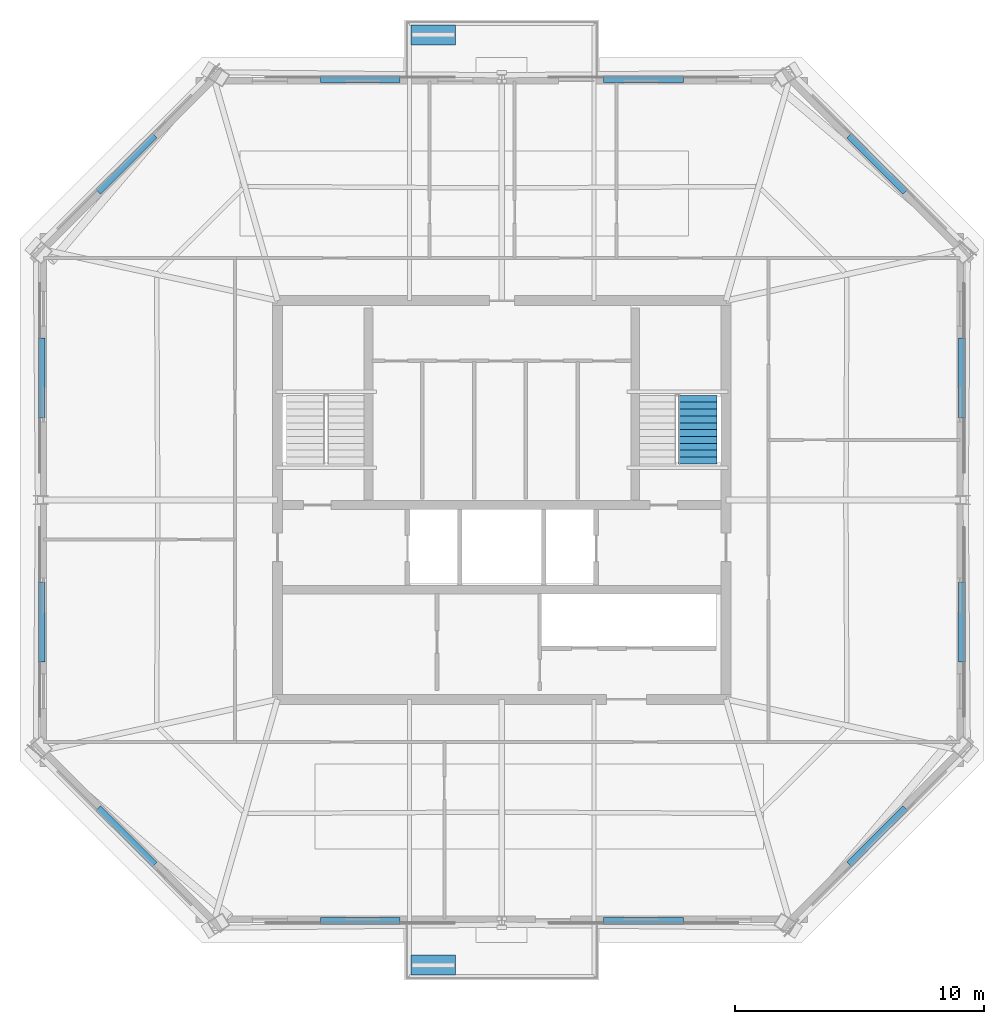
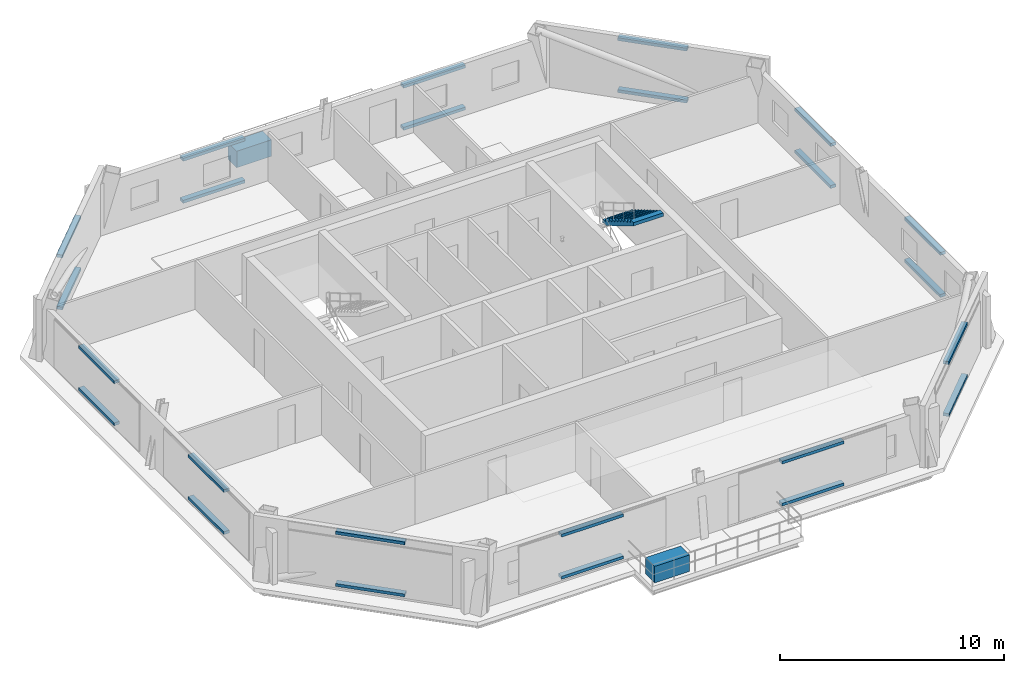
# One storey, part 5 of 7: 26 discrete accessories, 1 stair flight, 1 element without a shape of its own.
"""IFC4 building model written with IfcOpenShell, lengths in metres."""

from ifc_helpers import new_model, si_unit, direction, frame, origin, origin_2d, place, context, subcontext, project, spatial, polyline, rectangle, outline, extrude, material, type_object, element, aggregate, save


model = new_model("IFC4")

# Units and contexts
model_context = context("Model", 3, precision=1e-05, world=origin(), true_north=direction((0.0, 1.0)))
body_context = subcontext(model_context, "Body", "Model", "MODEL_VIEW")
ifc_project = project(units=[si_unit("LENGTHUNIT", "METRE"), si_unit("AREAUNIT", "SQUARE_METRE"), si_unit("VOLUMEUNIT", "CUBIC_METRE"), si_unit("PLANEANGLEUNIT", "RADIAN"), si_unit("MASSUNIT", "GRAM", prefix="KILO")], contexts=[model_context])

# Site, building, storey
site_placement = place(None, origin())
site = spatial("IfcSite", under=ifc_project, at=site_placement, CompositionType="ELEMENT")
building_placement = place(site_placement, origin())
building = spatial("IfcBuilding", under=site, at=building_placement, Name="Caelvoria Tower", CompositionType="ELEMENT")
storey_placement = place(building_placement, frame((0.0, 0.0, 257.39990234375)))
storey = spatial("IfcBuildingStorey", under=building, at=storey_placement, Name="L68", CompositionType="ELEMENT", Elevation=257.39990234375)

# Stair, stair flight
ifc_material_1 = material(Name="Concrete C40/50", Category="concrete")
stair_type = type_object("IfcStairType", Name="Core Smokeproof Dogleg Stair Concrete C40/50", PredefinedType="HALF_TURN_STAIR", material=ifc_material_1)
stair_placement = place(storey_placement, origin())
stair = element("IfcStair", 1, at=stair_placement, inside=storey, type_object=stair_type, Name="ST-02 Smokeproof Exit Stair L68", PredefinedType="HALF_TURN_STAIR")
ifc_material_2 = material(Name="Precast Concrete C40/50", Category="concrete")
stair_flight_type = type_object("IfcStairFlightType", Name="Precast Concrete C40/50 Stair Flight 1480", PredefinedType="STRAIGHT", material=ifc_material_2)
stair_flight_placement = place(storey_placement, frame((53.8701171875, 36.199951171875, 1.800048828125), z_axis=(0.0, 0.0, 1.0), x_axis=(0.0, -1.0, 0.0)))
stair_flight = element("IfcStairFlight", 2, at=stair_flight_placement, type_object=stair_flight_type, Name="ST-02 flight 2", NumberOfRisers=11, NumberOfTreads=10, PredefinedType="STRAIGHT", RiserHeight=0.1636, TreadLength=0.275, context=body_context, shape_type="SweptSolid", body=[
    extrude(outline(polyline([(0.0, 0.0), (0.0, 0.16357421875), (0.27490234375, 0.16357421875), (0.27490234375, 0.3271484375), (0.550048828125, 0.3271484375), (0.550048828125, 0.49072265625), (0.824951171875, 0.49072265625), (0.824951171875, 0.654296875), (1.10009765625, 0.654296875), (1.10009765625, 0.818115234375), (1.375, 0.818115234375), (1.375, 0.981689453125), (1.64990234375, 0.981689453125), (1.64990234375, 1.145263671875), (1.925048828125, 1.145263671875), (1.925048828125, 1.308837890625), (2.199951171875, 1.308837890625), (2.199951171875, 1.472412109375), (2.47509765625, 1.472412109375), (2.47509765625, 1.635986328125), (2.75, 1.635986328125), (2.75, 1.799560546875), (2.75, 1.449951171875), (0.312744140625, 0.0), (0.0, 0.0)])), frame((0.0, 0.77001953125, 0.0), z_axis=(0.0, -1.0, 0.0), x_axis=(1.0, 0.0, 0.0)), (0.0, 0.0, 1.0), 1.5400390625),
])
aggregate(stair, [stair_flight])

# Discrete accessories
ifc_material_3 = material(Name="Anodised Bronze Stainless Bracket", Category="bronze")
discrete_accessory_type_1 = type_object("IfcDiscreteAccessoryType", Name="Solar Screen Outrigger Support Bracket", PredefinedType="BRACKET", material=ifc_material_3)
for number, where, z_axis, x_axis, name in (
    (3, (40.31640625, 15.103515625, 0.240234375), (0.0, 0.0, 1.0), (1.0, 0.0, 0.0), "Solar Screen Bracket L68-E0-00"),
    (4, (40.31640625, 15.103515625, 2.5322265625), (0.0, 0.0, 1.0), (1.0, 0.0, 0.0), "Upper Screen Band Bracket L68-E0-00"),
    (5, (51.68359375, 15.103515625, 0.240234375), (0.0, 0.0, 1.0), (1.0, 0.0, 0.0), "Solar Screen Bracket L68-E0-01"),
    (6, (51.68359375, 15.103515625, 2.5322265625), (0.0, 0.0, 1.0), (1.0, 0.0, 0.0), "Upper Screen Band Bracket L68-E0-01"),
    (7, (61.068603515625, 18.504150390625, 0.240234375), (0.0, 0.0, 1.0), (0.707106781187, 0.707106781187, 0.0), "Solar Screen Bracket L68-E1-00"),
    (8, (61.068603515625, 18.504150390625, 3.0751953125), (0.0, 0.0, 1.0), (0.707106781187, 0.707106781187, 0.0), "Upper Screen Band Bracket L68-E1-00"),
    (9, (64.46923828125, 27.102783203125, 0.240234375), (0.0, 0.0, 1.0), (0.0, 1.0, 0.0), "Solar Screen Bracket L68-E2-00"),
    (10, (64.46923828125, 27.102783203125, 2.5322265625), (0.0, 0.0, 1.0), (0.0, 1.0, 0.0), "Upper Screen Band Bracket L68-E2-00"),
    (11, (64.46923828125, 36.897216796875, 0.240234375), (0.0, 0.0, 1.0), (0.0, 1.0, 0.0), "Solar Screen Bracket L68-E2-01"),
    (12, (64.46923828125, 36.897216796875, 2.5322265625), (0.0, 0.0, 1.0), (0.0, 1.0, 0.0), "Upper Screen Band Bracket L68-E2-01"),
    (13, (61.068603515625, 45.495849609375, 0.240234375), (0.0, 0.0, 1.0), (-0.707106781187, 0.707106781187, 0.0), "Solar Screen Bracket L68-E3-00"),
    (14, (61.068603515625, 45.495849609375, 3.0751953125), (0.0, 0.0, 1.0), (-0.707106781187, 0.707106781187, 0.0), "Upper Screen Band Bracket L68-E3-00"),
    (15, (51.68359375, 48.896484375, 0.240234375), (0.0, 0.0, 1.0), (-1.0, 0.0, 0.0), "Solar Screen Bracket L68-E4-00"),
    (16, (51.68359375, 48.896484375, 2.5322265625), (0.0, 0.0, 1.0), (-1.0, 0.0, 0.0), "Upper Screen Band Bracket L68-E4-00"),
    (17, (40.31640625, 48.896484375, 0.240234375), (0.0, 0.0, 1.0), (-1.0, 0.0, 0.0), "Solar Screen Bracket L68-E4-01"),
    (18, (40.31640625, 48.896484375, 2.5322265625), (0.0, 0.0, 1.0), (-1.0, 0.0, 0.0), "Upper Screen Band Bracket L68-E4-01"),
    (19, (30.931396484375, 45.495849609375, 0.240234375), (0.0, 0.0, 1.0), (-0.707106781187, -0.707106781187, 0.0), "Solar Screen Bracket L68-E5-00"),
    (20, (30.931396484375, 45.495849609375, 3.0751953125), (0.0, 0.0, 1.0), (-0.707106781187, -0.707106781187, 0.0), "Upper Screen Band Bracket L68-E5-00"),
    (21, (27.53076171875, 36.897216796875, 0.240234375), (0.0, 0.0, 1.0), (0.0, -1.0, 0.0), "Solar Screen Bracket L68-E6-00"),
    (22, (27.53076171875, 36.897216796875, 2.5322265625), (0.0, 0.0, 1.0), (0.0, -1.0, 0.0), "Upper Screen Band Bracket L68-E6-00"),
    (23, (27.53076171875, 27.102783203125, 0.240234375), (0.0, 0.0, 1.0), (0.0, -1.0, 0.0), "Solar Screen Bracket L68-E6-01"),
    (24, (27.53076171875, 27.102783203125, 2.5322265625), (0.0, 0.0, 1.0), (0.0, -1.0, 0.0), "Upper Screen Band Bracket L68-E6-01"),
    (25, (30.931396484375, 18.504150390625, 0.240234375), (0.0, 0.0, 1.0), (0.707106781187, -0.707106781187, 0.0), "Solar Screen Bracket L68-E7-00"),
    (26, (30.931396484375, 18.504150390625, 3.0751953125), (0.0, 0.0, 1.0), (0.707106781187, -0.707106781187, 0.0), "Upper Screen Band Bracket L68-E7-00"),
):
    element("IfcDiscreteAccessory", number, at=place(storey_placement, frame(where, z_axis=z_axis, x_axis=x_axis)), inside=storey, type_object=discrete_accessory_type_1, Name=name, PredefinedType="BRACKET", context=body_context, shape_type="SweptSolid", body=[
        extrude(rectangle(XDim=3.199951171875, YDim=0.280029296875, at=origin_2d()), origin(), (0.0, 0.0, 1.0), 0.159912109375),
    ])
ifc_material_4 = material(Name="Bronze-Clad Concrete C40/50 Planter Vessel", Category="concrete")
discrete_accessory_type_2 = type_object("IfcDiscreteAccessoryType", Name="Tree Balcony Structural Planter Vessel PLANTER", PredefinedType="USERDEFINED", material=ifc_material_4)
for number, where, z_axis, x_axis, name in (
    (27, (43.25, 13.33642578125, 0.000244140625), (0.0, 0.0, 1.0), (1.0, 0.0, 0.0), "Tree Balcony Planter TB-L68-S"),
    (28, (43.25, 50.66357421875, 0.000244140625), (0.0, 0.0, 1.0), (1.0, 0.0, 0.0), "Tree Balcony Planter TB-L68-N"),
):
    element("IfcDiscreteAccessory", number, at=place(storey_placement, frame(where, z_axis=z_axis, x_axis=x_axis)), inside=storey, type_object=discrete_accessory_type_2, Name=name, ObjectType="PLANTER", PredefinedType="USERDEFINED", context=body_context, shape_type="SweptSolid", body=[
        extrude(rectangle(XDim=1.800048828125, YDim=0.800048828125, at=origin_2d()), origin(), (0.0, 0.0, 1.0), 0.89990234375),
    ])

save(model, "model.ifc")
